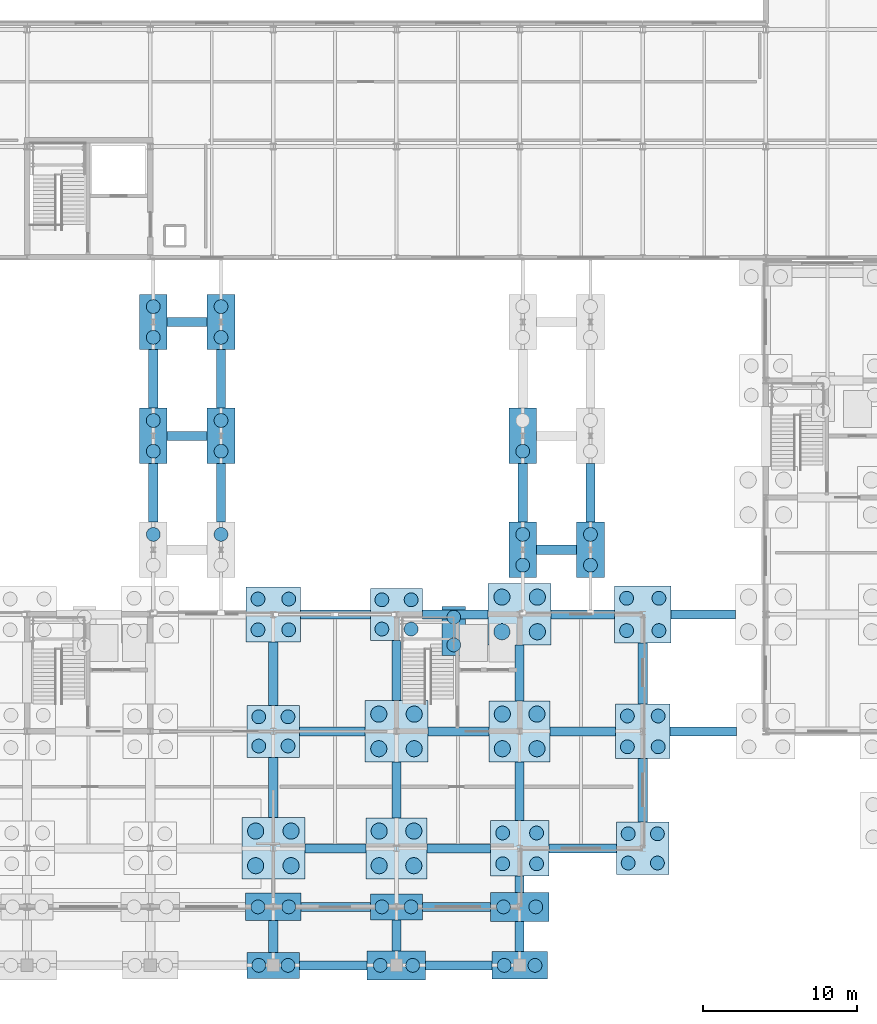
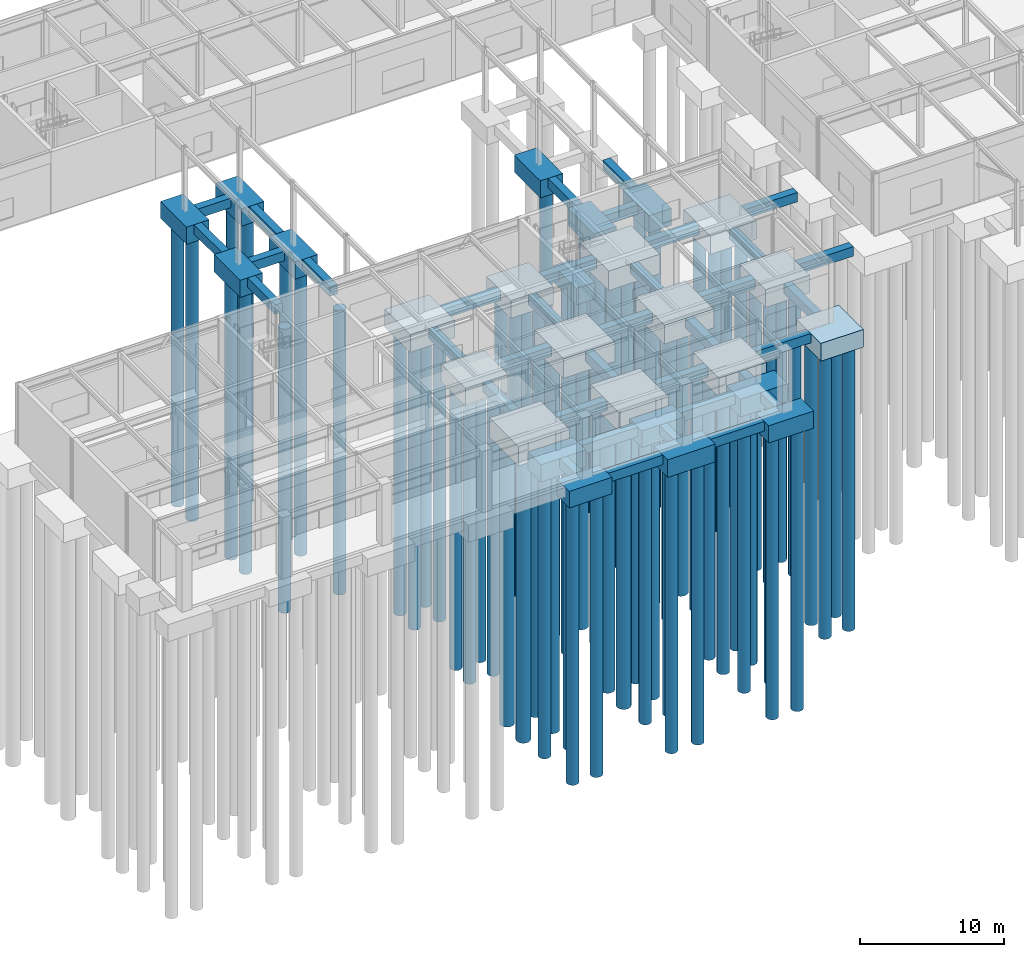
# One storey, part 2 of 62: 77 piles, 62 footings.
"""IFC4 building model written with IfcOpenShell, lengths in metres."""

from ifc_helpers import new_model, si_unit, direction, frame, origin, origin_2d, place, context, subcontext, project, spatial, rectangle, circle, extrude, material, material_profile, profile_set, type_object, element, save


model = new_model("IFC4")

# Units and contexts
model_context = context("Model", 3, precision=1e-05, world=origin(), true_north=direction((0.0, 1.0)))
body_context = subcontext(model_context, "Body", "Model", "MODEL_VIEW")
ifc_project = project(units=[si_unit("LENGTHUNIT", "METRE"), si_unit("AREAUNIT", "SQUARE_METRE"), si_unit("VOLUMEUNIT", "CUBIC_METRE"), si_unit("PLANEANGLEUNIT", "RADIAN"), si_unit("MASSUNIT", "GRAM", prefix="KILO")], contexts=[model_context])

# Site, building, storey
site_placement = place(None, origin())
site = spatial("IfcSite", under=ifc_project, at=site_placement, CompositionType="ELEMENT")
building_placement = place(site_placement, origin())
building = spatial("IfcBuilding", under=site, at=building_placement, Name="Zulena Civic Courthouse", CompositionType="ELEMENT")
storey_placement = place(building_placement, origin())
storey = spatial("IfcBuildingStorey", under=building, at=storey_placement, Name="L00", CompositionType="ELEMENT", Elevation=0.0)

# Piles
ifc_material_1 = material(Name="Concrete C40/50", Category="concrete")
ifc_material_profile_1 = material_profile(ifc_material_1, circle(Radius=0.52490234375, at=origin_2d()), Name="PILE1050")
ifc_profile_set_1 = profile_set([ifc_material_profile_1], Name="Concrete C40/50")
pile_type_1 = type_object("IfcPileType", Name="BoredPile_1050", PredefinedType="BORED", material=ifc_profile_set_1)
for number, where, z_axis, x_axis, name in (
    (1, (34.85009765625, 6.47509765625, -1.780029296875), (0.0, 0.0, -1.0), (1.0, 0.0, 0.0), "pile:L00:029:1"),
    (2, (37.14990234375, 6.47509765625, -1.780029296875), (0.0, 0.0, -1.0), (1.0, 0.0, 0.0), "pile:L00:029:2"),
    (3, (34.85009765625, 8.72509765625, -1.780029296875), (0.0, 0.0, -1.0), (1.0, 0.0, 0.0), "pile:L00:029:3"),
    (4, (37.14990234375, 8.72509765625, -1.780029296875), (0.0, 0.0, -1.0), (1.0, 0.0, 0.0), "pile:L00:029:4"),
    (5, (42.875, 6.47509765625, -1.72998046875), (0.0, 0.0, -1.0), (1.0, 0.0, 0.0), "pile:L00:034:1"),
    (6, (45.125, 6.47509765625, -1.72998046875), (0.0, 0.0, -1.0), (1.0, 0.0, 0.0), "pile:L00:034:2"),
    (7, (42.875, 8.72509765625, -1.72998046875), (0.0, 0.0, -1.0), (1.0, 0.0, 0.0), "pile:L00:034:3"),
    (8, (45.125, 8.72509765625, -1.72998046875), (0.0, 0.0, -1.0), (1.0, 0.0, 0.0), "pile:L00:034:4"),
    (9, (42.85009765625, 14.074951171875, -1.780029296875), (0.0, 0.0, -1.0), (1.0, 0.0, 0.0), "pile:L00:035:1"),
    (10, (45.14990234375, 14.074951171875, -1.780029296875), (0.0, 0.0, -1.0), (1.0, 0.0, 0.0), "pile:L00:035:2"),
    (11, (42.85009765625, 16.324951171875, -1.780029296875), (0.0, 0.0, -1.0), (1.0, 0.0, 0.0), "pile:L00:035:3"),
    (12, (45.14990234375, 16.324951171875, -1.780029296875), (0.0, 0.0, -1.0), (1.0, 0.0, 0.0), "pile:L00:035:4"),
    (13, (50.875, 14.074951171875, -1.72998046875), (0.0, 0.0, -1.0), (1.0, 0.0, 0.0), "pile:L00:040:1"),
    (14, (53.125, 14.074951171875, -1.72998046875), (0.0, 0.0, -1.0), (1.0, 0.0, 0.0), "pile:L00:040:2"),
    (15, (50.875, 16.324951171875, -1.72998046875), (0.0, 0.0, -1.0), (1.0, 0.0, 0.0), "pile:L00:040:3"),
    (16, (53.125, 16.324951171875, -1.72998046875), (0.0, 0.0, -1.0), (1.0, 0.0, 0.0), "pile:L00:040:4"),
    (17, (50.85009765625, 21.675048828125, -1.780029296875), (0.0, 0.0, -1.0), (1.0, 0.0, 0.0), "pile:L00:041:1"),
    (18, (53.14990234375, 21.675048828125, -1.780029296875), (0.0, 0.0, -1.0), (1.0, 0.0, 0.0), "pile:L00:041:2"),
    (19, (50.85009765625, 23.925048828125, -1.780029296875), (0.0, 0.0, -1.0), (1.0, 0.0, 0.0), "pile:L00:041:3"),
    (20, (53.14990234375, 23.925048828125, -1.780029296875), (0.0, 0.0, -1.0), (1.0, 0.0, 0.0), "pile:L00:041:4"),
):
    element("IfcPile", number, at=place(storey_placement, frame(where, z_axis=z_axis, x_axis=x_axis)), inside=storey, type_object=pile_type_1, Name=name, PredefinedType="BORED", context=body_context, shape_type="SweptSolid", body=[
        extrude(circle(Radius=0.52490234375, at=origin_2d()), origin(), (0.0, 0.0, 1.0), 24.0),
    ])
ifc_material_profile_2 = material_profile(ifc_material_1, circle(Radius=0.449951171875, at=origin_2d()), Name="PILE900")
ifc_profile_set_2 = profile_set([ifc_material_profile_2], Name="Concrete C40/50")
pile_type_2 = type_object("IfcPileType", Name="BoredPile_900", PredefinedType="BORED", material=ifc_profile_set_2)
for number, where, z_axis, x_axis, name in (
    (21, (28.199951171875, 28.0, -1.580078125), (0.0, 0.0, -1.0), (1.0, 0.0, 0.0), "pile:L00:021:2"),
    (22, (28.199951171875, 33.39990234375, -1.580078125), (0.0, 0.0, -1.0), (1.0, 0.0, 0.0), "pile:L00:022:1"),
    (23, (28.199951171875, 35.39990234375, -1.580078125), (0.0, 0.0, -1.0), (1.0, 0.0, 0.0), "pile:L00:022:2"),
    (24, (28.199951171875, 40.800048828125, -1.580078125), (0.0, 0.0, -1.0), (1.0, 0.0, 0.0), "pile:L00:023:1"),
    (25, (28.199951171875, 42.800048828125, -1.580078125), (0.0, 0.0, -1.0), (1.0, 0.0, 0.0), "pile:L00:023:2"),
    (26, (32.60009765625, 28.0, -1.580078125), (0.0, 0.0, -1.0), (1.0, 0.0, 0.0), "pile:L00:024:2"),
    (27, (32.60009765625, 33.39990234375, -1.580078125), (0.0, 0.0, -1.0), (1.0, 0.0, 0.0), "pile:L00:025:1"),
    (28, (32.60009765625, 35.39990234375, -1.580078125), (0.0, 0.0, -1.0), (1.0, 0.0, 0.0), "pile:L00:025:2"),
    (29, (32.60009765625, 40.800048828125, -1.580078125), (0.0, 0.0, -1.0), (1.0, 0.0, 0.0), "pile:L00:026:1"),
    (30, (32.60009765625, 42.800048828125, -1.580078125), (0.0, 0.0, -1.0), (1.0, 0.0, 0.0), "pile:L00:026:2"),
    (31, (35.050048828125, 0.0, -1.530029296875), (0.0, 0.0, -1.0), (1.0, 0.0, 0.0), "pile:L00:027:1"),
    (32, (36.949951171875, 0.0, -1.530029296875), (0.0, 0.0, -1.0), (1.0, 0.0, 0.0), "pile:L00:027:2"),
    (33, (35.0, 3.800048828125, -1.580078125), (0.0, 0.0, -1.0), (1.0, 0.0, 0.0), "pile:L00:028:1"),
    (34, (37.0, 3.800048828125, -1.580078125), (0.0, 0.0, -1.0), (1.0, 0.0, 0.0), "pile:L00:028:2"),
    (35, (35.050048828125, 14.25, -1.6298828125), (0.0, 0.0, -1.0), (1.0, 0.0, 0.0), "pile:L00:030:1"),
    (36, (36.949951171875, 14.25, -1.6298828125), (0.0, 0.0, -1.0), (1.0, 0.0, 0.0), "pile:L00:030:2"),
    (37, (35.050048828125, 16.14990234375, -1.6298828125), (0.0, 0.0, -1.0), (1.0, 0.0, 0.0), "pile:L00:030:3"),
    (38, (36.949951171875, 16.14990234375, -1.6298828125), (0.0, 0.0, -1.0), (1.0, 0.0, 0.0), "pile:L00:030:4"),
    (39, (35.0, 21.800048828125, -1.6298828125), (0.0, 0.0, -1.0), (1.0, 0.0, 0.0), "pile:L00:031:1"),
    (40, (37.0, 21.800048828125, -1.6298828125), (0.0, 0.0, -1.0), (1.0, 0.0, 0.0), "pile:L00:031:2"),
    (41, (35.0, 23.800048828125, -1.6298828125), (0.0, 0.0, -1.0), (1.0, 0.0, 0.0), "pile:L00:031:3"),
    (42, (37.0, 23.800048828125, -1.6298828125), (0.0, 0.0, -1.0), (1.0, 0.0, 0.0), "pile:L00:031:4"),
    (43, (42.949951171875, 0.0, -1.6298828125), (0.0, 0.0, -1.0), (1.0, 0.0, 0.0), "pile:L00:032:1"),
    (44, (45.050048828125, 0.0, -1.6298828125), (0.0, 0.0, -1.0), (1.0, 0.0, 0.0), "pile:L00:032:2"),
    (45, (43.050048828125, 3.800048828125, -1.530029296875), (0.0, 0.0, -1.0), (1.0, 0.0, 0.0), "pile:L00:033:1"),
    (46, (44.949951171875, 3.800048828125, -1.530029296875), (0.0, 0.0, -1.0), (1.0, 0.0, 0.0), "pile:L00:033:2"),
    (47, (43.050048828125, 21.85009765625, -1.6298828125), (0.0, 0.0, -1.0), (1.0, 0.0, 0.0), "pile:L00:036:1"),
    (48, (44.949951171875, 21.85009765625, -1.6298828125), (0.0, 0.0, -1.0), (1.0, 0.0, 0.0), "pile:L00:036:2"),
    (49, (43.050048828125, 23.75, -1.6298828125), (0.0, 0.0, -1.0), (1.0, 0.0, 0.0), "pile:L00:036:3"),
    (50, (44.949951171875, 23.75, -1.6298828125), (0.0, 0.0, -1.0), (1.0, 0.0, 0.0), "pile:L00:036:4"),
    (51, (51.0, 0.0, -1.580078125), (0.0, 0.0, -1.0), (1.0, 0.0, 0.0), "pile:L00:037:1"),
    (52, (53.0, 0.0, -1.580078125), (0.0, 0.0, -1.0), (1.0, 0.0, 0.0), "pile:L00:037:2"),
    (53, (50.949951171875, 3.800048828125, -1.6298828125), (0.0, 0.0, -1.0), (1.0, 0.0, 0.0), "pile:L00:038:1"),
    (54, (53.050048828125, 3.800048828125, -1.6298828125), (0.0, 0.0, -1.0), (1.0, 0.0, 0.0), "pile:L00:038:2"),
    (55, (50.89990234375, 6.60009765625, -1.72998046875), (0.0, 0.0, -1.0), (1.0, 0.0, 0.0), "pile:L00:039:1"),
    (56, (53.10009765625, 6.60009765625, -1.72998046875), (0.0, 0.0, -1.0), (1.0, 0.0, 0.0), "pile:L00:039:2"),
    (57, (50.89990234375, 8.60009765625, -1.72998046875), (0.0, 0.0, -1.0), (1.0, 0.0, 0.0), "pile:L00:039:3"),
    (58, (53.10009765625, 8.60009765625, -1.72998046875), (0.0, 0.0, -1.0), (1.0, 0.0, 0.0), "pile:L00:039:4"),
    (59, (52.199951171875, 26.0, -1.580078125), (0.0, 0.0, -1.0), (1.0, 0.0, 0.0), "pile:L00:042:1"),
    (60, (52.199951171875, 28.0, -1.580078125), (0.0, 0.0, -1.0), (1.0, 0.0, 0.0), "pile:L00:042:2"),
    (61, (52.199951171875, 33.39990234375, -1.580078125), (0.0, 0.0, -1.0), (1.0, 0.0, 0.0), "pile:L00:043:1"),
    (62, (56.60009765625, 26.0, -1.580078125), (0.0, 0.0, -1.0), (1.0, 0.0, 0.0), "pile:L00:045:1"),
    (63, (56.60009765625, 28.0, -1.580078125), (0.0, 0.0, -1.0), (1.0, 0.0, 0.0), "pile:L00:045:2"),
    (64, (59.050048828125, 6.64990234375, -1.6298828125), (0.0, 0.0, -1.0), (1.0, 0.0, 0.0), "pile:L00:048:1"),
    (65, (60.949951171875, 6.64990234375, -1.6298828125), (0.0, 0.0, -1.0), (1.0, 0.0, 0.0), "pile:L00:048:2"),
    (66, (59.050048828125, 8.550048828125, -1.6298828125), (0.0, 0.0, -1.0), (1.0, 0.0, 0.0), "pile:L00:048:3"),
    (67, (60.949951171875, 8.550048828125, -1.6298828125), (0.0, 0.0, -1.0), (1.0, 0.0, 0.0), "pile:L00:048:4"),
    (68, (59.0, 14.199951171875, -1.6298828125), (0.0, 0.0, -1.0), (1.0, 0.0, 0.0), "pile:L00:049:1"),
    (69, (61.0, 14.199951171875, -1.6298828125), (0.0, 0.0, -1.0), (1.0, 0.0, 0.0), "pile:L00:049:2"),
    (70, (59.0, 16.199951171875, -1.6298828125), (0.0, 0.0, -1.0), (1.0, 0.0, 0.0), "pile:L00:049:3"),
    (71, (61.0, 16.199951171875, -1.6298828125), (0.0, 0.0, -1.0), (1.0, 0.0, 0.0), "pile:L00:049:4"),
    (72, (58.949951171875, 21.75, -1.679931640625), (0.0, 0.0, -1.0), (1.0, 0.0, 0.0), "pile:L00:050:1"),
    (73, (61.050048828125, 21.75, -1.679931640625), (0.0, 0.0, -1.0), (1.0, 0.0, 0.0), "pile:L00:050:2"),
    (74, (58.949951171875, 23.85009765625, -1.679931640625), (0.0, 0.0, -1.0), (1.0, 0.0, 0.0), "pile:L00:050:3"),
    (75, (61.050048828125, 23.85009765625, -1.679931640625), (0.0, 0.0, -1.0), (1.0, 0.0, 0.0), "pile:L00:050:4"),
    (76, (47.719970703125, 20.820068359375, -1.530029296875), (0.0, 0.0, -1.0), (1.0, 0.0, 0.0), "pile:stair:L00:02:1"),
    (77, (47.719970703125, 22.6201171875, -1.530029296875), (0.0, 0.0, -1.0), (1.0, 0.0, 0.0), "pile:stair:L00:02:2"),
):
    element("IfcPile", number, at=place(storey_placement, frame(where, z_axis=z_axis, x_axis=x_axis)), inside=storey, type_object=pile_type_2, Name=name, PredefinedType="BORED", context=body_context, shape_type="SweptSolid", body=[
        extrude(circle(Radius=0.449951171875, at=origin_2d()), origin(), (0.0, 0.0, 1.0), 24.0),
    ])

# Footings
ifc_material_2 = material(Name="Concrete C35/45", Category="concrete")
ifc_material_profile_3 = material_profile(ifc_material_2, rectangle(XDim=0.60009765625, YDim=0.800048828125, at=origin_2d()), Name="RC600X800")
ifc_profile_set_3 = profile_set([ifc_material_profile_3], Name="Concrete C35/45")
footing_type_1 = type_object("IfcFootingType", Name="GroundBeam_600x800", PredefinedType="FOOTING_BEAM", material=ifc_profile_set_3)
footing_1_placement = place(storey_placement, frame((37.699951171875, 0.0, -0.6298828125), z_axis=(1.0, 0.0, 0.0), x_axis=(0.0, 1.0, 0.0)))
element("IfcFooting", 78, at=footing_1_placement, inside=storey, type_object=footing_type_1, Name="gbeam:X:L00:005", PredefinedType="FOOTING_BEAM", context=body_context, shape_type="SweptSolid", body=[
    extrude(rectangle(XDim=0.60009765625, YDim=0.800048828125, at=origin_2d()), origin(), (0.0, 0.0, 1.0), 4.400146484375),
])
footing_2_placement = place(storey_placement, frame((45.89990234375, 0.0, -0.6298828125), z_axis=(1.0, 0.0, 0.0), x_axis=(0.0, 1.0, 0.0)))
element("IfcFooting", 79, at=footing_2_placement, inside=storey, type_object=footing_type_1, Name="gbeam:X:L00:006", PredefinedType="FOOTING_BEAM", context=body_context, shape_type="SweptSolid", body=[
    extrude(rectangle(XDim=0.60009765625, YDim=0.800048828125, at=origin_2d()), origin(), (0.0, 0.0, 1.0), 4.300048828125),
])
footing_3_placement = place(storey_placement, frame((37.800048828125, 3.800048828125, -0.6298828125), z_axis=(1.0, 0.0, 0.0), x_axis=(0.0, 1.0, 0.0)))
element("IfcFooting", 80, at=footing_3_placement, inside=storey, type_object=footing_type_1, Name="gbeam:X:L00:017", PredefinedType="FOOTING_BEAM", context=body_context, shape_type="SweptSolid", body=[
    extrude(rectangle(XDim=0.60009765625, YDim=0.800048828125, at=origin_2d()), origin(), (0.0, 0.0, 1.0), 4.5),
])
footing_4_placement = place(storey_placement, frame((45.699951171875, 3.800048828125, -0.6298828125), z_axis=(1.0, 0.0, 0.0), x_axis=(0.0, 1.0, 0.0)))
element("IfcFooting", 81, at=footing_4_placement, inside=storey, type_object=footing_type_1, Name="gbeam:X:L00:018", PredefinedType="FOOTING_BEAM", context=body_context, shape_type="SweptSolid", body=[
    extrude(rectangle(XDim=0.60009765625, YDim=0.800048828125, at=origin_2d()), origin(), (0.0, 0.0, 1.0), 4.400146484375),
])
footing_5_placement = place(storey_placement, frame((38.050048828125, 7.60009765625, -0.6298828125), z_axis=(1.0, 0.0, 0.0), x_axis=(0.0, 1.0, 0.0)))
element("IfcFooting", 82, at=footing_5_placement, inside=storey, type_object=footing_type_1, Name="gbeam:X:L00:029", PredefinedType="FOOTING_BEAM", context=body_context, shape_type="SweptSolid", body=[
    extrude(rectangle(XDim=0.60009765625, YDim=0.800048828125, at=origin_2d()), origin(), (0.0, 0.0, 1.0), 3.974853515625),
])
footing_6_placement = place(storey_placement, frame((45.97509765625, 7.60009765625, -0.6298828125), z_axis=(1.0, 0.0, 0.0), x_axis=(0.0, 1.0, 0.0)))
element("IfcFooting", 83, at=footing_6_placement, inside=storey, type_object=footing_type_1, Name="gbeam:X:L00:030", PredefinedType="FOOTING_BEAM", context=body_context, shape_type="SweptSolid", body=[
    extrude(rectangle(XDim=0.60009765625, YDim=0.800048828125, at=origin_2d()), origin(), (0.0, 0.0, 1.0), 4.125),
])
footing_7_placement = place(storey_placement, frame((53.89990234375, 7.60009765625, -0.6298828125), z_axis=(1.0, 0.0, 0.0), x_axis=(0.0, 1.0, 0.0)))
element("IfcFooting", 84, at=footing_7_placement, inside=storey, type_object=footing_type_1, Name="gbeam:X:L00:031", PredefinedType="FOOTING_BEAM", context=body_context, shape_type="SweptSolid", body=[
    extrude(rectangle(XDim=0.60009765625, YDim=0.800048828125, at=origin_2d()), origin(), (0.0, 0.0, 1.0), 4.400146484375),
])
footing_8_placement = place(storey_placement, frame((37.699951171875, 15.199951171875, -0.6298828125), z_axis=(1.0, 0.0, 0.0), x_axis=(0.0, 1.0, 0.0)))
element("IfcFooting", 85, at=footing_8_placement, inside=storey, type_object=footing_type_1, Name="gbeam:X:L00:047", PredefinedType="FOOTING_BEAM", context=body_context, shape_type="SweptSolid", body=[
    extrude(rectangle(XDim=0.60009765625, YDim=0.800048828125, at=origin_2d()), origin(), (0.0, 0.0, 1.0), 4.25),
])
footing_9_placement = place(storey_placement, frame((46.050048828125, 15.199951171875, -0.6298828125), z_axis=(1.0, 0.0, 0.0), x_axis=(0.0, 1.0, 0.0)))
element("IfcFooting", 86, at=footing_9_placement, inside=storey, type_object=footing_type_1, Name="gbeam:X:L00:048", PredefinedType="FOOTING_BEAM", context=body_context, shape_type="SweptSolid", body=[
    extrude(rectangle(XDim=0.60009765625, YDim=0.800048828125, at=origin_2d()), origin(), (0.0, 0.0, 1.0), 3.974853515625),
])
footing_10_placement = place(storey_placement, frame((53.97509765625, 15.199951171875, -0.6298828125), z_axis=(1.0, 0.0, 0.0), x_axis=(0.0, 1.0, 0.0)))
element("IfcFooting", 87, at=footing_10_placement, inside=storey, type_object=footing_type_1, Name="gbeam:X:L00:049", PredefinedType="FOOTING_BEAM", context=body_context, shape_type="SweptSolid", body=[
    extrude(rectangle(XDim=0.60009765625, YDim=0.800048828125, at=origin_2d()), origin(), (0.0, 0.0, 1.0), 4.25),
])
footing_11_placement = place(storey_placement, frame((61.77490234375, 15.199951171875, -0.6298828125), z_axis=(1.0, 0.0, 0.0), x_axis=(0.0, 1.0, 0.0)))
element("IfcFooting", 88, at=footing_11_placement, inside=storey, type_object=footing_type_1, Name="gbeam:X:L00:050", PredefinedType="FOOTING_BEAM", context=body_context, shape_type="SweptSolid", body=[
    extrude(rectangle(XDim=0.60009765625, YDim=0.800048828125, at=origin_2d()), origin(), (0.0, 0.0, 1.0), 4.3251953125),
])
footing_12_placement = place(storey_placement, frame((37.77490234375, 22.800048828125, -0.6298828125), z_axis=(1.0, 0.0, 0.0), x_axis=(0.0, 1.0, 0.0)))
element("IfcFooting", 89, at=footing_12_placement, inside=storey, type_object=footing_type_1, Name="gbeam:X:L00:068", PredefinedType="FOOTING_BEAM", context=body_context, shape_type="SweptSolid", body=[
    extrude(rectangle(XDim=0.60009765625, YDim=0.800048828125, at=origin_2d()), origin(), (0.0, 0.0, 1.0), 4.525146484375),
])
footing_13_placement = place(storey_placement, frame((45.699951171875, 22.800048828125, -0.6298828125), z_axis=(1.0, 0.0, 0.0), x_axis=(0.0, 1.0, 0.0)))
element("IfcFooting", 90, at=footing_13_placement, inside=storey, type_object=footing_type_1, Name="gbeam:X:L00:069", PredefinedType="FOOTING_BEAM", context=body_context, shape_type="SweptSolid", body=[
    extrude(rectangle(XDim=0.60009765625, YDim=0.800048828125, at=origin_2d()), origin(), (0.0, 0.0, 1.0), 4.25),
])
footing_14_placement = place(storey_placement, frame((54.050048828125, 22.800048828125, -0.6298828125), z_axis=(1.0, 0.0, 0.0), x_axis=(0.0, 1.0, 0.0)))
element("IfcFooting", 91, at=footing_14_placement, inside=storey, type_object=footing_type_1, Name="gbeam:X:L00:070", PredefinedType="FOOTING_BEAM", context=body_context, shape_type="SweptSolid", body=[
    extrude(rectangle(XDim=0.60009765625, YDim=0.800048828125, at=origin_2d()), origin(), (0.0, 0.0, 1.0), 4.099853515625),
])
footing_15_placement = place(storey_placement, frame((61.85009765625, 22.800048828125, -0.6298828125), z_axis=(1.0, 0.0, 0.0), x_axis=(0.0, 1.0, 0.0)))
element("IfcFooting", 92, at=footing_15_placement, inside=storey, type_object=footing_type_1, Name="gbeam:X:L00:071", PredefinedType="FOOTING_BEAM", context=body_context, shape_type="SweptSolid", body=[
    extrude(rectangle(XDim=0.60009765625, YDim=0.800048828125, at=origin_2d()), origin(), (0.0, 0.0, 1.0), 4.1748046875),
])
for number, where, z_axis, x_axis, name in (
    (93, (53.10009765625, 27.0, -0.6298828125), (1.0, 0.0, 0.0), (0.0, 1.0, 0.0), "gbeam:X:L00:086"),
    (94, (29.10009765625, 34.39990234375, -0.6298828125), (1.0, 0.0, 0.0), (0.0, 1.0, 0.0), "gbeam:X:L00:097"),
    (95, (29.10009765625, 41.800048828125, -0.6298828125), (1.0, 0.0, 0.0), (0.0, 1.0, 0.0), "gbeam:X:L00:112"),
):
    element("IfcFooting", number, at=place(storey_placement, frame(where, z_axis=z_axis, x_axis=x_axis)), inside=storey, type_object=footing_type_1, Name=name, PredefinedType="FOOTING_BEAM", context=body_context, shape_type="SweptSolid", body=[
        extrude(rectangle(XDim=0.60009765625, YDim=0.800048828125, at=origin_2d()), origin(), (0.0, 0.0, 1.0), 2.599853515625),
    ])
for number, where, z_axis, x_axis, name in (
    (96, (28.199951171875, 28.800048828125, -0.6298828125), (0.0, 1.0, 0.0), (-1.0, 0.0, 0.0), "gbeam:Y:L00:147"),
    (97, (28.199951171875, 36.199951171875, -0.6298828125), (0.0, 1.0, 0.0), (-1.0, 0.0, 0.0), "gbeam:Y:L00:148"),
    (98, (32.60009765625, 28.800048828125, -0.6298828125), (0.0, 1.0, 0.0), (-1.0, 0.0, 0.0), "gbeam:Y:L00:149"),
    (99, (32.60009765625, 36.199951171875, -0.6298828125), (0.0, 1.0, 0.0), (-1.0, 0.0, 0.0), "gbeam:Y:L00:150"),
):
    element("IfcFooting", number, at=place(storey_placement, frame(where, z_axis=z_axis, x_axis=x_axis)), inside=storey, type_object=footing_type_1, Name=name, PredefinedType="FOOTING_BEAM", context=body_context, shape_type="SweptSolid", body=[
        extrude(rectangle(XDim=0.60009765625, YDim=0.800048828125, at=origin_2d()), origin(), (0.0, 0.0, 1.0), 3.800048828125),
    ])
footing_16_placement = place(storey_placement, frame((36.0, 0.85009765625, -0.6298828125), z_axis=(0.0, 1.0, 0.0), x_axis=(-1.0, 0.0, 0.0)))
element("IfcFooting", 100, at=footing_16_placement, inside=storey, type_object=footing_type_1, Name="gbeam:Y:L00:151", PredefinedType="FOOTING_BEAM", context=body_context, shape_type="SweptSolid", body=[
    extrude(rectangle(XDim=0.60009765625, YDim=0.800048828125, at=origin_2d()), origin(), (0.0, 0.0, 1.0), 2.0498046875),
])
footing_17_placement = place(storey_placement, frame((36.0, 9.60009765625, -0.6298828125), z_axis=(0.0, 1.0, 0.0), x_axis=(-1.0, 0.0, 0.0)))
element("IfcFooting", 101, at=footing_17_placement, inside=storey, type_object=footing_type_1, Name="gbeam:Y:L00:152", PredefinedType="FOOTING_BEAM", context=body_context, shape_type="SweptSolid", body=[
    extrude(rectangle(XDim=0.60009765625, YDim=0.800048828125, at=origin_2d()), origin(), (0.0, 0.0, 1.0), 3.89990234375),
])
footing_18_placement = place(storey_placement, frame((36.0, 16.89990234375, -0.6298828125), z_axis=(0.0, 1.0, 0.0), x_axis=(-1.0, 0.0, 0.0)))
element("IfcFooting", 102, at=footing_18_placement, inside=storey, type_object=footing_type_1, Name="gbeam:Y:L00:153", PredefinedType="FOOTING_BEAM", context=body_context, shape_type="SweptSolid", body=[
    extrude(rectangle(XDim=0.60009765625, YDim=0.800048828125, at=origin_2d()), origin(), (0.0, 0.0, 1.0), 4.125),
])
footing_19_placement = place(storey_placement, frame((44.0, 0.949951171875, -0.6298828125), z_axis=(0.0, 1.0, 0.0), x_axis=(-1.0, 0.0, 0.0)))
element("IfcFooting", 103, at=footing_19_placement, inside=storey, type_object=footing_type_1, Name="gbeam:Y:L00:154", PredefinedType="FOOTING_BEAM", context=body_context, shape_type="SweptSolid", body=[
    extrude(rectangle(XDim=0.60009765625, YDim=0.800048828125, at=origin_2d()), origin(), (0.0, 0.0, 1.0), 2.0),
])
footing_20_placement = place(storey_placement, frame((44.0, 9.574951171875, -0.6298828125), z_axis=(0.0, 1.0, 0.0), x_axis=(-1.0, 0.0, 0.0)))
element("IfcFooting", 104, at=footing_20_placement, inside=storey, type_object=footing_type_1, Name="gbeam:Y:L00:155", PredefinedType="FOOTING_BEAM", context=body_context, shape_type="SweptSolid", body=[
    extrude(rectangle(XDim=0.60009765625, YDim=0.800048828125, at=origin_2d()), origin(), (0.0, 0.0, 1.0), 3.625),
])
footing_21_placement = place(storey_placement, frame((44.0, 17.199951171875, -0.6298828125), z_axis=(0.0, 1.0, 0.0), x_axis=(-1.0, 0.0, 0.0)))
element("IfcFooting", 105, at=footing_21_placement, inside=storey, type_object=footing_type_1, Name="gbeam:Y:L00:156", PredefinedType="FOOTING_BEAM", context=body_context, shape_type="SweptSolid", body=[
    extrude(rectangle(XDim=0.60009765625, YDim=0.800048828125, at=origin_2d()), origin(), (0.0, 0.0, 1.0), 3.900146484375),
])
footing_22_placement = place(storey_placement, frame((52.0, 0.89990234375, -0.6298828125), z_axis=(0.0, 1.0, 0.0), x_axis=(-1.0, 0.0, 0.0)))
element("IfcFooting", 106, at=footing_22_placement, inside=storey, type_object=footing_type_1, Name="gbeam:Y:L00:157", PredefinedType="FOOTING_BEAM", context=body_context, shape_type="SweptSolid", body=[
    extrude(rectangle(XDim=0.60009765625, YDim=0.800048828125, at=origin_2d()), origin(), (0.0, 0.0, 1.0), 1.9501953125),
])
footing_23_placement = place(storey_placement, frame((52.0, 4.75, -0.6298828125), z_axis=(0.0, 1.0, 0.0), x_axis=(-1.0, 0.0, 0.0)))
element("IfcFooting", 107, at=footing_23_placement, inside=storey, type_object=footing_type_1, Name="gbeam:Y:L00:158", PredefinedType="FOOTING_BEAM", context=body_context, shape_type="SweptSolid", body=[
    extrude(rectangle(XDim=0.60009765625, YDim=0.800048828125, at=origin_2d()), origin(), (0.0, 0.0, 1.0), 1.050048828125),
])
footing_24_placement = place(storey_placement, frame((52.0, 9.39990234375, -0.6298828125), z_axis=(0.0, 1.0, 0.0), x_axis=(-1.0, 0.0, 0.0)))
element("IfcFooting", 108, at=footing_24_placement, inside=storey, type_object=footing_type_1, Name="gbeam:Y:L00:159", PredefinedType="FOOTING_BEAM", context=body_context, shape_type="SweptSolid", body=[
    extrude(rectangle(XDim=0.60009765625, YDim=0.800048828125, at=origin_2d()), origin(), (0.0, 0.0, 1.0), 3.8251953125),
])
footing_25_placement = place(storey_placement, frame((52.0, 17.175048828125, -0.6298828125), z_axis=(0.0, 1.0, 0.0), x_axis=(-1.0, 0.0, 0.0)))
element("IfcFooting", 109, at=footing_25_placement, inside=storey, type_object=footing_type_1, Name="gbeam:Y:L00:160", PredefinedType="FOOTING_BEAM", context=body_context, shape_type="SweptSolid", body=[
    extrude(rectangle(XDim=0.60009765625, YDim=0.800048828125, at=origin_2d()), origin(), (0.0, 0.0, 1.0), 3.625),
])
for number, where, z_axis, x_axis, name in (
    (110, (52.199951171875, 28.800048828125, -0.6298828125), (0.0, 1.0, 0.0), (-1.0, 0.0, 0.0), "gbeam:Y:L00:161"),
    (111, (56.60009765625, 28.800048828125, -0.6298828125), (0.0, 1.0, 0.0), (-1.0, 0.0, 0.0), "gbeam:Y:L00:163"),
):
    element("IfcFooting", number, at=place(storey_placement, frame(where, z_axis=z_axis, x_axis=x_axis)), inside=storey, type_object=footing_type_1, Name=name, PredefinedType="FOOTING_BEAM", context=body_context, shape_type="SweptSolid", body=[
        extrude(rectangle(XDim=0.60009765625, YDim=0.800048828125, at=origin_2d()), origin(), (0.0, 0.0, 1.0), 3.800048828125),
    ])
footing_26_placement = place(storey_placement, frame((60.0, 9.300048828125, -0.6298828125), z_axis=(0.0, 1.0, 0.0), x_axis=(-1.0, 0.0, 0.0)))
element("IfcFooting", 112, at=footing_26_placement, inside=storey, type_object=footing_type_1, Name="gbeam:Y:L00:165", PredefinedType="FOOTING_BEAM", context=body_context, shape_type="SweptSolid", body=[
    extrude(rectangle(XDim=0.60009765625, YDim=0.800048828125, at=origin_2d()), origin(), (0.0, 0.0, 1.0), 4.125),
])
footing_27_placement = place(storey_placement, frame((60.0, 16.97509765625, -0.6298828125), z_axis=(0.0, 1.0, 0.0), x_axis=(-1.0, 0.0, 0.0)))
element("IfcFooting", 113, at=footing_27_placement, inside=storey, type_object=footing_type_1, Name="gbeam:Y:L00:166", PredefinedType="FOOTING_BEAM", context=body_context, shape_type="SweptSolid", body=[
    extrude(rectangle(XDim=0.60009765625, YDim=0.800048828125, at=origin_2d()), origin(), (0.0, 0.0, 1.0), 3.974853515625),
])
footing_type_2 = type_object("IfcFootingType", Name="PileCap_2P_1500x3200", PredefinedType="PILE_CAP", material=ifc_material_1)
footing_28_placement = place(storey_placement, frame((47.719970703125, 21.719970703125, -1.6298828125), z_axis=(0.0, 0.0, 1.0), x_axis=(1.0, 0.0, 0.0)))
element("IfcFooting", 114, at=footing_28_placement, inside=storey, type_object=footing_type_2, Name="cap:stair:L00:02", PredefinedType="PILE_CAP", context=body_context, shape_type="SweptSolid", body=[
    extrude(rectangle(XDim=1.5, YDim=3.199951171875, at=origin_2d()), origin(), (0.0, 0.0, 1.0), 1.39990234375),
])
footing_type_3 = type_object("IfcFootingType", Name="PileCap_2P_3400x1700", PredefinedType="PILE_CAP", material=ifc_material_1)
for number, where, z_axis, x_axis, name in (
    (115, (36.0, 0.0, -1.6298828125), (0.0, 0.0, 1.0), (1.0, 0.0, 0.0), "cap:L00:027"),
    (116, (44.0, 3.800048828125, -1.6298828125), (0.0, 0.0, 1.0), (1.0, 0.0, 0.0), "cap:L00:033"),
):
    element("IfcFooting", number, at=place(storey_placement, frame(where, z_axis=z_axis, x_axis=x_axis)), inside=storey, type_object=footing_type_3, Name=name, PredefinedType="PILE_CAP", context=body_context, shape_type="SweptSolid", body=[
        extrude(rectangle(XDim=3.39990234375, YDim=1.699951171875, at=origin_2d()), origin(), (0.0, 0.0, 1.0), 1.39990234375),
    ])
footing_type_4 = type_object("IfcFootingType", Name="PileCap_2P_3600x1800", PredefinedType="PILE_CAP", material=ifc_material_1)
for number, where, z_axis, x_axis, name in (
    (117, (28.199951171875, 34.39990234375, -1.68017578125), (0.0, 0.0, 1.0), (1.0, 0.0, 0.0), "cap:L00:022"),
    (118, (28.199951171875, 41.800048828125, -1.68017578125), (0.0, 0.0, 1.0), (1.0, 0.0, 0.0), "cap:L00:023"),
    (119, (32.60009765625, 34.39990234375, -1.68017578125), (0.0, 0.0, 1.0), (1.0, 0.0, 0.0), "cap:L00:025"),
    (120, (32.60009765625, 41.800048828125, -1.68017578125), (0.0, 0.0, 1.0), (1.0, 0.0, 0.0), "cap:L00:026"),
):
    element("IfcFooting", number, at=place(storey_placement, frame(where, z_axis=z_axis, x_axis=x_axis)), inside=storey, type_object=footing_type_4, Name=name, PredefinedType="PILE_CAP", context=body_context, shape_type="SweptSolid", body=[
        extrude(rectangle(XDim=1.800048828125, YDim=3.60009765625, at=origin_2d()), origin(), (0.0, 0.0, 1.0), 1.449951171875),
    ])
for number, where, z_axis, x_axis, name in (
    (121, (36.0, 3.800048828125, -1.68017578125), (0.0, 0.0, 1.0), (1.0, 0.0, 0.0), "cap:L00:028"),
    (122, (52.0, 0.0, -1.68017578125), (0.0, 0.0, 1.0), (1.0, 0.0, 0.0), "cap:L00:037"),
):
    element("IfcFooting", number, at=place(storey_placement, frame(where, z_axis=z_axis, x_axis=x_axis)), inside=storey, type_object=footing_type_4, Name=name, PredefinedType="PILE_CAP", context=body_context, shape_type="SweptSolid", body=[
        extrude(rectangle(XDim=3.60009765625, YDim=1.800048828125, at=origin_2d()), origin(), (0.0, 0.0, 1.0), 1.449951171875),
    ])
for number, where, z_axis, x_axis, name in (
    (123, (52.199951171875, 27.0, -1.68017578125), (0.0, 0.0, 1.0), (1.0, 0.0, 0.0), "cap:L00:042"),
    (124, (52.199951171875, 34.39990234375, -1.68017578125), (0.0, 0.0, 1.0), (1.0, 0.0, 0.0), "cap:L00:043"),
    (125, (56.60009765625, 27.0, -1.68017578125), (0.0, 0.0, 1.0), (1.0, 0.0, 0.0), "cap:L00:045"),
):
    element("IfcFooting", number, at=place(storey_placement, frame(where, z_axis=z_axis, x_axis=x_axis)), inside=storey, type_object=footing_type_4, Name=name, PredefinedType="PILE_CAP", context=body_context, shape_type="SweptSolid", body=[
        extrude(rectangle(XDim=1.800048828125, YDim=3.60009765625, at=origin_2d()), origin(), (0.0, 0.0, 1.0), 1.449951171875),
    ])
footing_type_5 = type_object("IfcFootingType", Name="PileCap_2P_3800x1900", PredefinedType="PILE_CAP", material=ifc_material_1)
for number, where, z_axis, x_axis, name in (
    (126, (44.0, 0.0, -1.72998046875), (0.0, 0.0, 1.0), (1.0, 0.0, 0.0), "cap:L00:032"),
    (127, (52.0, 3.800048828125, -1.72998046875), (0.0, 0.0, 1.0), (1.0, 0.0, 0.0), "cap:L00:038"),
):
    element("IfcFooting", number, at=place(storey_placement, frame(where, z_axis=z_axis, x_axis=x_axis)), inside=storey, type_object=footing_type_5, Name=name, PredefinedType="PILE_CAP", context=body_context, shape_type="SweptSolid", body=[
        extrude(rectangle(XDim=3.800048828125, YDim=1.89990234375, at=origin_2d()), origin(), (0.0, 0.0, 1.0), 1.5),
    ])
footing_type_6 = type_object("IfcFootingType", Name="PileCap_4P_3400x3400", PredefinedType="PILE_CAP", material=ifc_material_1)
for number, where, z_axis, x_axis, name in (
    (128, (36.0, 15.199951171875, -1.72998046875), (0.0, 0.0, 1.0), (1.0, 0.0, 0.0), "cap:L00:030"),
    (129, (44.0, 22.800048828125, -1.72998046875), (0.0, 0.0, 1.0), (1.0, 0.0, 0.0), "cap:L00:036"),
    (130, (60.0, 7.60009765625, -1.72998046875), (0.0, 0.0, 1.0), (1.0, 0.0, 0.0), "cap:L00:048"),
):
    element("IfcFooting", number, at=place(storey_placement, frame(where, z_axis=z_axis, x_axis=x_axis)), inside=storey, type_object=footing_type_6, Name=name, PredefinedType="PILE_CAP", context=body_context, shape_type="SweptSolid", body=[
        extrude(rectangle(XDim=3.39990234375, YDim=3.39990234375, at=origin_2d()), origin(), (0.0, 0.0, 1.0), 1.5),
    ])
footing_type_7 = type_object("IfcFootingType", Name="PileCap_4P_3550x3550", PredefinedType="PILE_CAP", material=ifc_material_1)
for number, where, z_axis, x_axis, name in (
    (131, (36.0, 22.800048828125, -1.72998046875), (0.0, 0.0, 1.0), (1.0, 0.0, 0.0), "cap:L00:031"),
    (132, (60.0, 15.199951171875, -1.72998046875), (0.0, 0.0, 1.0), (1.0, 0.0, 0.0), "cap:L00:049"),
):
    element("IfcFooting", number, at=place(storey_placement, frame(where, z_axis=z_axis, x_axis=x_axis)), inside=storey, type_object=footing_type_7, Name=name, PredefinedType="PILE_CAP", context=body_context, shape_type="SweptSolid", body=[
        extrude(rectangle(XDim=3.550048828125, YDim=3.550048828125, at=origin_2d()), origin(), (0.0, 0.0, 1.0), 1.5),
    ])
footing_type_8 = type_object("IfcFootingType", Name="PileCap_4P_3700x3700", PredefinedType="PILE_CAP", material=ifc_material_1)
footing_29_placement = place(storey_placement, frame((60.0, 22.800048828125, -1.77978515625), z_axis=(0.0, 0.0, 1.0), x_axis=(1.0, 0.0, 0.0)))
element("IfcFooting", 133, at=footing_29_placement, inside=storey, type_object=footing_type_8, Name="cap:L00:050", PredefinedType="PILE_CAP", context=body_context, shape_type="SweptSolid", body=[
    extrude(rectangle(XDim=3.699951171875, YDim=3.699951171875, at=origin_2d()), origin(), (0.0, 0.0, 1.0), 1.550048828125),
])
footing_type_9 = type_object("IfcFootingType", Name="PileCap_4P_3800x3600", PredefinedType="PILE_CAP", material=ifc_material_1)
footing_30_placement = place(storey_placement, frame((52.0, 7.60009765625, -1.830078125), z_axis=(0.0, 0.0, 1.0), x_axis=(1.0, 0.0, 0.0)))
element("IfcFooting", 134, at=footing_30_placement, inside=storey, type_object=footing_type_9, Name="cap:L00:039", PredefinedType="PILE_CAP", context=body_context, shape_type="SweptSolid", body=[
    extrude(rectangle(XDim=3.800048828125, YDim=3.60009765625, at=origin_2d()), origin(), (0.0, 0.0, 1.0), 1.60009765625),
])
footing_type_10 = type_object("IfcFootingType", Name="PileCap_4P_3950x3950", PredefinedType="PILE_CAP", material=ifc_material_1)
for number, where, z_axis, x_axis, name in (
    (135, (44.0, 7.60009765625, -1.830078125), (0.0, 0.0, 1.0), (1.0, 0.0, 0.0), "cap:L00:034"),
    (136, (52.0, 15.199951171875, -1.830078125), (0.0, 0.0, 1.0), (1.0, 0.0, 0.0), "cap:L00:040"),
):
    element("IfcFooting", number, at=place(storey_placement, frame(where, z_axis=z_axis, x_axis=x_axis)), inside=storey, type_object=footing_type_10, Name=name, PredefinedType="PILE_CAP", context=body_context, shape_type="SweptSolid", body=[
        extrude(rectangle(XDim=3.949951171875, YDim=3.949951171875, at=origin_2d()), origin(), (0.0, 0.0, 1.0), 1.60009765625),
    ])
footing_type_11 = type_object("IfcFootingType", Name="PileCap_4P_4100x4000", PredefinedType="PILE_CAP", material=ifc_material_1)
for number, where, z_axis, x_axis, name in (
    (137, (36.0, 7.60009765625, -1.8798828125), (0.0, 0.0, 1.0), (1.0, 0.0, 0.0), "cap:L00:029"),
    (138, (44.0, 15.199951171875, -1.8798828125), (0.0, 0.0, 1.0), (1.0, 0.0, 0.0), "cap:L00:035"),
    (139, (52.0, 22.800048828125, -1.8798828125), (0.0, 0.0, 1.0), (1.0, 0.0, 0.0), "cap:L00:041"),
):
    element("IfcFooting", number, at=place(storey_placement, frame(where, z_axis=z_axis, x_axis=x_axis)), inside=storey, type_object=footing_type_11, Name=name, PredefinedType="PILE_CAP", context=body_context, shape_type="SweptSolid", body=[
        extrude(rectangle(XDim=4.10009765625, YDim=4.0, at=origin_2d()), origin(), (0.0, 0.0, 1.0), 1.64990234375),
    ])

save(model, "model.ifc")
